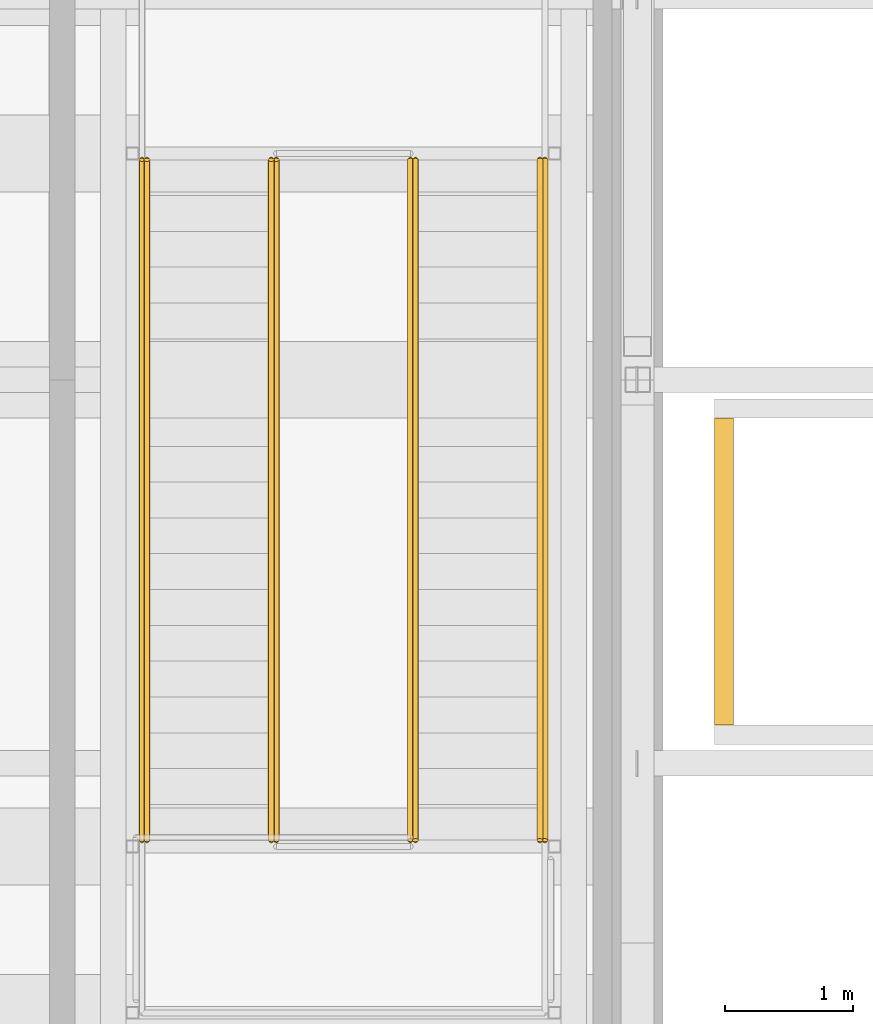
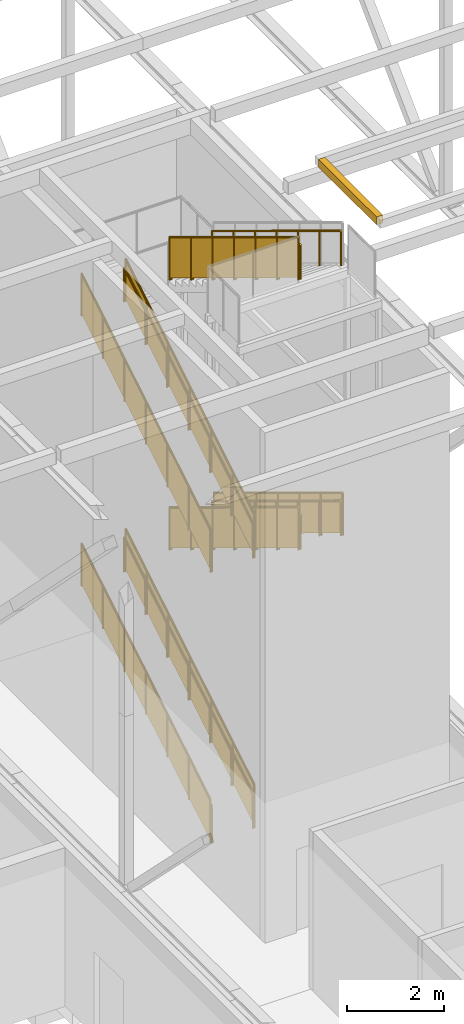
# One storey, part 631 of 646: 15 railings, 1 covering.
"""IFC4 building model written with IfcOpenShell, lengths in metres."""

import ifcopenshell
import ifcopenshell.guid

model = None  # the IFC model being written
_history = None  # IfcOwnerHistory: only IFC2X3 demands one
_inside = {}  # id of a spatial element -> (the spatial element, [elements in it])
_under = {}  # id of a project, library or spatial element -> (it, [spatial elements below it])
_declared = {}  # id of a project -> (the project, [libraries it declares])
_typed = {}  # id of a type object -> (the type object, [elements of that type])
_made_of = {}  # id of a material, layer set ... -> (it, [elements and type objects made of it])


def new_model(schema):
    """Start an empty IFC model of exactly this schema.

    Asked for "IFC4X3", IfcOpenShell would pick the latest addendum, in which some entities
    have other attributes; the version numbers below select the first issue.
    IFC2X3 requires an IfcOwnerHistory on every rooted entity: one is made here for all.
    """
    global model, _history
    if schema == "IFC4X3":
        model = ifcopenshell.file(schema_version=(4, 3, 0, 0))
    else:
        model = ifcopenshell.file(schema=schema)
    _inside.clear()
    _under.clear()
    _declared.clear()
    _typed.clear()
    _made_of.clear()
    _history = None
    if model.schema == "IFC2X3":
        org = make("IfcOrganization", Name="unknown")
        user = make(
            "IfcPersonAndOrganization",
            ThePerson=make("IfcPerson", FamilyName="unknown"),
            TheOrganization=org,
        )
        app = make(
            "IfcApplication",
            ApplicationDeveloper=org,
            Version="unknown",
            ApplicationFullName="unknown",
            ApplicationIdentifier="unknown",
        )
        _history = make(
            "IfcOwnerHistory",
            OwningUser=user,
            OwningApplication=app,
            ChangeAction="ADDED",
            CreationDate=0,
        )
    return model


def make(cls, **values):
    """One entity of the class cls with the attributes given. An attribute that is None is left unset."""
    return model.create_entity(
        cls, **{name: value for name, value in values.items() if value is not None}
    )


def rooted(cls, **values):
    """An entity with a GlobalId (a new one), such as an element, a storey or a relation."""
    return make(cls, GlobalId=ifcopenshell.guid.new(), OwnerHistory=_history, **values)


def si_unit(unit_type, name, prefix=None):
    """IfcSIUnit, for example si_unit("LENGTHUNIT", "METRE", prefix="MILLI")."""
    return make("IfcSIUnit", UnitType=unit_type, Prefix=prefix, Name=name)


def assignment(units):
    """IfcUnitAssignment: the units of a project."""
    return None if units is None else make("IfcUnitAssignment", Units=units)


def point(xyz):
    """IfcCartesianPoint."""
    return None if xyz is None else make("IfcCartesianPoint", Coordinates=xyz)


def direction(xyz):
    """IfcDirection."""
    return None if xyz is None else make("IfcDirection", DirectionRatios=xyz)


def frame(location, z_axis=None, x_axis=None):
    """IfcAxis2Placement3D, a coordinate frame: its origin and axes. An axis left out is left unset."""
    return make(
        "IfcAxis2Placement3D",
        Location=point(location),
        Axis=direction(z_axis),
        RefDirection=direction(x_axis),
    )


def frame_2d(location, x_axis=None):
    """IfcAxis2Placement2D, a coordinate frame in the plane: its origin and x axis."""
    return make(
        "IfcAxis2Placement2D", Location=point(location), RefDirection=direction(x_axis)
    )


def origin():
    """The frame at (0, 0, 0) with its axes left unset."""
    return frame((0.0, 0.0, 0.0))


def origin_2d():
    """The frame at (0, 0) in the plane with its x axis left unset."""
    return frame_2d((0.0, 0.0))


def place(relative_to, where):
    """IfcLocalPlacement: puts the frame where relative to a parent placement (None: the world)."""
    return make(
        "IfcLocalPlacement", PlacementRelTo=relative_to, RelativePlacement=where
    )


def context(
    kind, dimensions, precision=None, world=None, true_north=None, identifier=None
):
    """IfcGeometricRepresentationContext, for example the 3D "Model" context."""
    return make(
        "IfcGeometricRepresentationContext",
        ContextIdentifier=identifier,
        ContextType=kind,
        CoordinateSpaceDimension=dimensions,
        Precision=precision,
        WorldCoordinateSystem=world,
        TrueNorth=true_north,
    )


def subcontext(parent, identifier, kind, view, scale=None):
    """IfcGeometricRepresentationSubContext, for example "Body" below "Model"."""
    return make(
        "IfcGeometricRepresentationSubContext",
        ContextIdentifier=identifier,
        ContextType=kind,
        ParentContext=parent,
        TargetScale=scale,
        TargetView=view,
    )


def project(units=None, contexts=None):
    """IfcProject with its units and contexts."""
    return rooted(
        "IfcProject",
        Name="project",
        RepresentationContexts=contexts,
        UnitsInContext=assignment(units),
    )


def spatial(cls, under=None, at=None, **own):
    """A site, building, storey or space (cls), placed at a placement, below another one or the project."""
    s = rooted(cls, ObjectPlacement=at, **own)
    if under is not None:
        _under.setdefault(under.id(), (under, []))[1].append(s)
    return s


def polyline(points):
    """IfcPolyline through the points."""
    return make("IfcPolyline", Points=[point(p) for p in points])


def profile(cls, at=None, kind="AREA", **sizes):
    """A parametric profile (cls). Its sizes go by their IFC names, for example OverallWidth=200.0."""
    return make(cls, ProfileType=kind, Position=at, **sizes)


def circle(**sizes):
    """IfcCircleProfileDef."""
    return profile("IfcCircleProfileDef", **sizes)


def outline(outer, holes=None, kind="AREA"):
    """IfcArbitraryClosedProfileDef: a profile drawn as a closed curve; with holes, ...WithVoids."""
    if holes is None:
        return make("IfcArbitraryClosedProfileDef", ProfileType=kind, OuterCurve=outer)
    return make(
        "IfcArbitraryProfileDefWithVoids",
        ProfileType=kind,
        OuterCurve=outer,
        InnerCurves=holes,
    )


def extrude(swept, where, along, depth):
    """IfcExtrudedAreaSolid: the profile swept, set in the frame where, extruded along a direction by depth."""
    return make(
        "IfcExtrudedAreaSolid",
        SweptArea=swept,
        Position=where,
        ExtrudedDirection=direction(along),
        Depth=depth,
    )


def shape(context_of_items, identifier, shape_type, items):
    """IfcShapeRepresentation: the items that make up one representation, for example the "Body"."""
    return make(
        "IfcShapeRepresentation",
        ContextOfItems=context_of_items,
        RepresentationIdentifier=identifier,
        RepresentationType=shape_type,
        Items=items,
    )


def material(Name=None, Category=None):
    """IfcMaterial."""
    return make("IfcMaterial", Name=Name, Category=Category)


def layer(
    of_material, thickness, ventilated=None, Name=None, Category=None, Priority=None
):
    """IfcMaterialLayer: one layer of a wall or slab, of a material (None: an air gap)."""
    return make(
        "IfcMaterialLayer",
        Material=of_material,
        LayerThickness=thickness,
        IsVentilated=ventilated,
        Name=Name,
        Category=Category,
        Priority=Priority,
    )


def layer_set(layers, Name=None):
    """IfcMaterialLayerSet."""
    return make("IfcMaterialLayerSet", MaterialLayers=layers, LayerSetName=Name)


def made_of(thing, what):
    """Note that an element or type object is made of a material, layer set ...; save() writes the relation."""
    if what is not None:
        _made_of.setdefault(what.id(), (what, []))[1].append(thing)
    return thing


def type_object(cls, material=None, **own):
    """A type object (cls), such as IfcWallType, which elements share."""
    return made_of(rooted(cls, **own), material)


def element(
    cls,
    number,
    at=None,
    inside=None,
    cuts=None,
    type_object=None,
    material=None,
    context=None,
    identifier="Body",
    shape_type=None,
    held_by="IfcProductDefinitionShape",
    body=None,
    shapes=None,
    **own,
):
    """One element of the class cls, such as IfcWall. Its Tag is "e" and its number.

    at: its placement. inside: the storey or other place that contains it. cuts: it is an
    opening in that element (IfcRelVoidsElement). A single representation is given by context,
    identifier, shape_type and body (its items); several are given by shapes. held_by: the class
    of the entity that holds the representations. save() writes the other relations.
    """
    e = rooted(cls, Tag="e%d" % number, ObjectPlacement=at, **own)
    if body is not None:
        shapes = [shape(context, identifier, shape_type, body)]
    if shapes is not None:
        e.Representation = make(held_by, Representations=shapes)
    if inside is not None:
        _inside.setdefault(inside.id(), (inside, []))[1].append(e)
    if cuts is not None:
        rooted(
            "IfcRelVoidsElement", RelatingBuildingElement=cuts, RelatedOpeningElement=e
        )
    if type_object is not None:
        _typed.setdefault(type_object.id(), (type_object, []))[1].append(e)
    return made_of(e, material)


def aggregate(whole, parts):
    """IfcRelAggregates: a whole, such as a stair, and the parts it consists of."""
    return rooted("IfcRelAggregates", RelatingObject=whole, RelatedObjects=parts)


def save(model, path):
    """Write the relations noted so far, then the file.

    IfcRelAggregates (storeys below a building ...), IfcRelContainedInSpatialStructure (elements
    in a storey), IfcRelDefinesByType, IfcRelAssociatesMaterial and IfcRelDeclares: one each for
    every whole, place, type object, material and project.
    """
    for whole, parts in _under.values():
        aggregate(whole, parts)
    for where, things in _inside.values():
        rooted(
            "IfcRelContainedInSpatialStructure",
            RelatedElements=things,
            RelatingStructure=where,
        )
    for kind, things in _typed.values():
        rooted("IfcRelDefinesByType", RelatedObjects=things, RelatingType=kind)
    for what, things in _made_of.values():
        rooted("IfcRelAssociatesMaterial", RelatedObjects=things, RelatingMaterial=what)
    for by, libraries in _declared.values():
        rooted("IfcRelDeclares", RelatingContext=by, RelatedDefinitions=libraries)
    model.write(path)


model = new_model("IFC4")

# Units and contexts
model_context = context("Model", 3, precision=1e-05, world=origin(), true_north=direction((0.0, 1.0)))
body_context = subcontext(model_context, "Body", "Model", "MODEL_VIEW")
ifc_project = project(units=[si_unit("LENGTHUNIT", "METRE"), si_unit("AREAUNIT", "SQUARE_METRE"), si_unit("VOLUMEUNIT", "CUBIC_METRE"), si_unit("PLANEANGLEUNIT", "RADIAN"), si_unit("MASSUNIT", "GRAM", prefix="KILO")], contexts=[model_context])

# Site, building, storey
site_placement = place(None, origin())
site = spatial("IfcSite", under=ifc_project, at=site_placement, CompositionType="ELEMENT")
building_placement = place(site_placement, origin())
building = spatial("IfcBuilding", under=site, at=building_placement, Name="Silverbay Arena", CompositionType="ELEMENT")
storey_placement = place(building_placement, frame((0.0, 0.0, 33.5)))
storey = spatial("IfcBuildingStorey", under=building, at=storey_placement, Name="L05", CompositionType="ELEMENT", Elevation=33.5)

# Covering
ifc_material_1 = material(Name="Insulated metal curb")
ifc_layer = layer(ifc_material_1, 0.14990234375)
ifc_layer_set = layer_set([ifc_layer], Name="Insulated metal curb")
covering_type = type_object("IfcCoveringType", Name="Roof light curb 150", PredefinedType="CLADDING", material=ifc_layer_set)
covering_placement = place(storey_placement, frame((0.0, 0.0, 13.60009765625)))
element("IfcCovering", 1, at=covering_placement, inside=storey, type_object=covering_type, Name="ROOF LIGHT CURB 03 W", PredefinedType="CLADDING", context=body_context, shape_type="SweptSolid", body=[
    extrude(outline(polyline([(72.60009765625, 69.300048828125), (72.75, 69.300048828125), (72.75, 71.699951171875), (72.60009765625, 71.699951171875), (72.60009765625, 69.300048828125)])), origin(), (0.0, 0.0, 1.0), 0.199951171875),
])

# Railings
ifc_material_2 = material(Name="Stainless steel", Category="steel")
railing_type_1 = type_object("IfcRailingType", Name="Stair guard 1100", PredefinedType="GUARDRAIL", material=ifc_material_2)
railing_1_placement = place(storey_placement, frame((68.125, 68.39990234375, 0.169921875)))
element("IfcRailing", 2, at=railing_1_placement, inside=storey, type_object=railing_type_1, Name="Stair RA1 L05 to ROOF flight 1 guard left", PredefinedType="GUARDRAIL", context=body_context, shape_type="SweptSolid", body=[
    extrude(circle(Radius=0.02392578125, at=origin_2d()), frame((0.0, 0.0, 1.076171875), z_axis=(0.0, 0.854791865604, 0.518970968838), x_axis=(-1.0, 0.0, 0.0)), (0.0, 0.0, 1.0), 6.223876953125),
    extrude(outline(polyline([(-0.008056640625, 0.045166015625), (0.894775390625, 0.59326171875), (0.894775390625, 1.59619140625), (-0.008056640625, 1.048095703125), (-0.008056640625, 0.045166015625)])), frame((-0.0029296875, 0.0, 0.0), z_axis=(1.0, 0.0, 0.0), x_axis=(0.0, 1.0, 0.0)), (0.0, 0.0, 1.0), 0.006103515625),
    extrude(outline(polyline([(-0.008056640625, 0.58349609375), (0.894775390625, 1.131591796875), (0.894775390625, 2.134521484375), (-0.008056640625, 1.58642578125), (-0.008056640625, 0.58349609375)])), frame((-0.0029296875, 0.88671875, 0.0), z_axis=(1.0, 0.0, 0.0), x_axis=(0.0, 1.0, 0.0)), (0.0, 0.0, 1.0), 0.006103515625),
    extrude(outline(polyline([(-0.008056640625, 1.121826171875), (0.894775390625, 1.669921875), (0.894775390625, 2.6728515625), (-0.008056640625, 2.124755859375), (-0.008056640625, 1.121826171875)])), frame((-0.0029296875, 1.7734375, 0.0), z_axis=(1.0, 0.0, 0.0), x_axis=(0.0, 1.0, 0.0)), (0.0, 0.0, 1.0), 0.006103515625),
    extrude(outline(polyline([(-0.008056640625, 1.66015625), (0.894775390625, 2.208251953125), (0.894775390625, 3.211181640625), (-0.008056640625, 2.6630859375), (-0.008056640625, 1.66015625)])), frame((-0.0029296875, 2.66015625, 0.0), z_axis=(1.0, 0.0, 0.0), x_axis=(0.0, 1.0, 0.0)), (0.0, 0.0, 1.0), 0.006103515625),
    extrude(outline(polyline([(-0.008056640625, 2.198486328125), (0.894775390625, 2.74658203125), (0.894775390625, 3.74951171875), (-0.008056640625, 3.201416015625), (-0.008056640625, 2.198486328125)])), frame((-0.0029296875, 3.546630859375, 0.0), z_axis=(1.0, 0.0, 0.0), x_axis=(0.0, 1.0, 0.0)), (0.0, 0.0, 1.0), 0.006103515625),
    extrude(outline(polyline([(-0.008056640625, 2.73681640625), (0.894775390625, 3.284912109375), (0.894775390625, 4.287841796875), (-0.008056640625, 3.73974609375), (-0.008056640625, 2.73681640625)])), frame((-0.0029296875, 4.433349609375, 0.0), z_axis=(1.0, 0.0, 0.0), x_axis=(0.0, 1.0, 0.0)), (0.0, 0.0, 1.0), 0.006103515625),
    extrude(circle(Radius=0.02099609375, at=origin_2d()), origin(), (0.0, 0.0, 1.0), 1.052001953125),
    extrude(circle(Radius=0.02099609375, at=origin_2d()), frame((0.0, 0.88671875, 0.538330078125)), (0.0, 0.0, 1.0), 1.052001953125),
    extrude(circle(Radius=0.02099609375, at=origin_2d()), frame((0.0, 1.7734375, 1.07666015625)), (0.0, 0.0, 1.0), 1.052001953125),
    extrude(circle(Radius=0.02099609375, at=origin_2d()), frame((0.0, 2.66015625, 1.614990234375)), (0.0, 0.0, 1.0), 1.052001953125),
    extrude(circle(Radius=0.02099609375, at=origin_2d()), frame((0.0, 3.546630859375, 2.1533203125)), (0.0, 0.0, 1.0), 1.052001953125),
    extrude(circle(Radius=0.02099609375, at=origin_2d()), frame((0.0, 4.433349609375, 2.691650390625)), (0.0, 0.0, 1.0), 1.052001953125),
    extrude(circle(Radius=0.02099609375, at=origin_2d()), frame((0.0, 5.320068359375, 3.22998046875)), (0.0, 0.0, 1.0), 1.052001953125),
])
railing_2_placement = place(storey_placement, frame((69.175048828125, 68.39990234375, 0.169921875)))
element("IfcRailing", 3, at=railing_2_placement, inside=storey, type_object=railing_type_1, Name="Stair RA1 L05 to ROOF flight 1 guard right", PredefinedType="GUARDRAIL", context=body_context, shape_type="SweptSolid", body=[
    extrude(circle(Radius=0.02392578125, at=origin_2d()), frame((0.0, 0.0, 1.076171875), z_axis=(0.0, 0.854791865604, 0.518970968838), x_axis=(-1.0, 0.0, 0.0)), (0.0, 0.0, 1.0), 6.223876953125),
    extrude(outline(polyline([(-0.008056640625, 0.045166015625), (0.894775390625, 0.59326171875), (0.894775390625, 1.59619140625), (-0.008056640625, 1.048095703125), (-0.008056640625, 0.045166015625)])), frame((-0.0029296875, 0.0, 0.0), z_axis=(1.0, 0.0, 0.0), x_axis=(0.0, 1.0, 0.0)), (0.0, 0.0, 1.0), 0.006103515625),
    extrude(outline(polyline([(-0.008056640625, 0.58349609375), (0.894775390625, 1.131591796875), (0.894775390625, 2.134521484375), (-0.008056640625, 1.58642578125), (-0.008056640625, 0.58349609375)])), frame((-0.0029296875, 0.88671875, 0.0), z_axis=(1.0, 0.0, 0.0), x_axis=(0.0, 1.0, 0.0)), (0.0, 0.0, 1.0), 0.006103515625),
    extrude(outline(polyline([(-0.008056640625, 1.121826171875), (0.894775390625, 1.669921875), (0.894775390625, 2.6728515625), (-0.008056640625, 2.124755859375), (-0.008056640625, 1.121826171875)])), frame((-0.0029296875, 1.7734375, 0.0), z_axis=(1.0, 0.0, 0.0), x_axis=(0.0, 1.0, 0.0)), (0.0, 0.0, 1.0), 0.006103515625),
    extrude(outline(polyline([(-0.008056640625, 1.66015625), (0.894775390625, 2.208251953125), (0.894775390625, 3.211181640625), (-0.008056640625, 2.6630859375), (-0.008056640625, 1.66015625)])), frame((-0.0029296875, 2.66015625, 0.0), z_axis=(1.0, 0.0, 0.0), x_axis=(0.0, 1.0, 0.0)), (0.0, 0.0, 1.0), 0.006103515625),
    extrude(outline(polyline([(-0.008056640625, 2.198486328125), (0.894775390625, 2.74658203125), (0.894775390625, 3.74951171875), (-0.008056640625, 3.201416015625), (-0.008056640625, 2.198486328125)])), frame((-0.0029296875, 3.546630859375, 0.0), z_axis=(1.0, 0.0, 0.0), x_axis=(0.0, 1.0, 0.0)), (0.0, 0.0, 1.0), 0.006103515625),
    extrude(outline(polyline([(-0.008056640625, 2.73681640625), (0.894775390625, 3.284912109375), (0.894775390625, 4.287841796875), (-0.008056640625, 3.73974609375), (-0.008056640625, 2.73681640625)])), frame((-0.0029296875, 4.433349609375, 0.0), z_axis=(1.0, 0.0, 0.0), x_axis=(0.0, 1.0, 0.0)), (0.0, 0.0, 1.0), 0.006103515625),
    extrude(circle(Radius=0.02099609375, at=origin_2d()), origin(), (0.0, 0.0, 1.0), 1.052001953125),
    extrude(circle(Radius=0.02099609375, at=origin_2d()), frame((0.0, 0.88671875, 0.538330078125)), (0.0, 0.0, 1.0), 1.052001953125),
    extrude(circle(Radius=0.02099609375, at=origin_2d()), frame((0.0, 1.7734375, 1.07666015625)), (0.0, 0.0, 1.0), 1.052001953125),
    extrude(circle(Radius=0.02099609375, at=origin_2d()), frame((0.0, 2.66015625, 1.614990234375)), (0.0, 0.0, 1.0), 1.052001953125),
    extrude(circle(Radius=0.02099609375, at=origin_2d()), frame((0.0, 3.546630859375, 2.1533203125)), (0.0, 0.0, 1.0), 1.052001953125),
    extrude(circle(Radius=0.02099609375, at=origin_2d()), frame((0.0, 4.433349609375, 2.691650390625)), (0.0, 0.0, 1.0), 1.052001953125),
    extrude(circle(Radius=0.02099609375, at=origin_2d()), frame((0.0, 5.320068359375, 3.22998046875)), (0.0, 0.0, 1.0), 1.052001953125),
])
railing_3_placement = place(storey_placement, frame((70.22509765625, 73.719970703125, 3.570068359375)))
element("IfcRailing", 4, at=railing_3_placement, inside=storey, type_object=railing_type_1, Name="Stair RA1 L05 to ROOF flight 2 guard left", PredefinedType="GUARDRAIL", context=body_context, shape_type="SweptSolid", body=[
    extrude(circle(Radius=0.02392578125, at=origin_2d()), frame((0.0, 0.0, 1.076171875), z_axis=(0.0, -0.854791865604, 0.518970968838), x_axis=(1.0, 0.0, 0.0)), (0.0, 0.0, 1.0), 6.223876953125),
    extrude(outline(polyline([(-0.008056640625, 0.045166015625), (0.894775390625, 0.59326171875), (0.894775390625, 1.59619140625), (-0.008056640625, 1.048095703125), (-0.008056640625, 0.045166015625)])), frame((0.0029296875, 0.0, 0.0), z_axis=(-1.0, 0.0, 0.0), x_axis=(0.0, -1.0, 0.0)), (0.0, 0.0, 1.0), 0.006103515625),
    extrude(outline(polyline([(-0.008056640625, 0.58349609375), (0.894775390625, 1.131591796875), (0.894775390625, 2.134521484375), (-0.008056640625, 1.58642578125), (-0.008056640625, 0.58349609375)])), frame((0.0029296875, -0.88671875, 0.0), z_axis=(-1.0, 0.0, 0.0), x_axis=(0.0, -1.0, 0.0)), (0.0, 0.0, 1.0), 0.006103515625),
    extrude(outline(polyline([(-0.008056640625, 1.121826171875), (0.894775390625, 1.669921875), (0.894775390625, 2.6728515625), (-0.008056640625, 2.124755859375), (-0.008056640625, 1.121826171875)])), frame((0.0029296875, -1.7734375, 0.0), z_axis=(-1.0, 0.0, 0.0), x_axis=(0.0, -1.0, 0.0)), (0.0, 0.0, 1.0), 0.006103515625),
    extrude(outline(polyline([(-0.008056640625, 1.66015625), (0.894775390625, 2.208251953125), (0.894775390625, 3.211181640625), (-0.008056640625, 2.6630859375), (-0.008056640625, 1.66015625)])), frame((0.0029296875, -2.66015625, 0.0), z_axis=(-1.0, 0.0, 0.0), x_axis=(0.0, -1.0, 0.0)), (0.0, 0.0, 1.0), 0.006103515625),
    extrude(outline(polyline([(-0.008056640625, 2.198486328125), (0.894775390625, 2.74658203125), (0.894775390625, 3.74951171875), (-0.008056640625, 3.201416015625), (-0.008056640625, 2.198486328125)])), frame((0.0029296875, -3.546630859375, 0.0), z_axis=(-1.0, 0.0, 0.0), x_axis=(0.0, -1.0, 0.0)), (0.0, 0.0, 1.0), 0.006103515625),
    extrude(outline(polyline([(-0.008056640625, 2.73681640625), (0.894775390625, 3.284912109375), (0.894775390625, 4.287841796875), (-0.008056640625, 3.73974609375), (-0.008056640625, 2.73681640625)])), frame((0.0029296875, -4.433349609375, 0.0), z_axis=(-1.0, 0.0, 0.0), x_axis=(0.0, -1.0, 0.0)), (0.0, 0.0, 1.0), 0.006103515625),
    extrude(circle(Radius=0.02099609375, at=origin_2d()), origin(), (0.0, 0.0, 1.0), 1.052001953125),
    extrude(circle(Radius=0.02099609375, at=origin_2d()), frame((0.0, -0.88671875, 0.538330078125)), (0.0, 0.0, 1.0), 1.052001953125),
    extrude(circle(Radius=0.02099609375, at=origin_2d()), frame((0.0, -1.7734375, 1.07666015625)), (0.0, 0.0, 1.0), 1.052001953125),
    extrude(circle(Radius=0.02099609375, at=origin_2d()), frame((0.0, -2.66015625, 1.614990234375)), (0.0, 0.0, 1.0), 1.052001953125),
    extrude(circle(Radius=0.02099609375, at=origin_2d()), frame((0.0, -3.546630859375, 2.1533203125)), (0.0, 0.0, 1.0), 1.052001953125),
    extrude(circle(Radius=0.02099609375, at=origin_2d()), frame((0.0, -4.433349609375, 2.691650390625)), (0.0, 0.0, 1.0), 1.052001953125),
    extrude(circle(Radius=0.02099609375, at=origin_2d()), frame((0.0, -5.320068359375, 3.22998046875)), (0.0, 0.0, 1.0), 1.052001953125),
])
railing_4_placement = place(storey_placement, frame((71.27490234375, 73.719970703125, 3.570068359375)))
element("IfcRailing", 5, at=railing_4_placement, inside=storey, type_object=railing_type_1, Name="Stair RA1 L05 to ROOF flight 2 guard right", PredefinedType="GUARDRAIL", context=body_context, shape_type="SweptSolid", body=[
    extrude(circle(Radius=0.02392578125, at=origin_2d()), frame((0.0, 0.0, 1.076171875), z_axis=(0.0, -0.854791865604, 0.518970968838), x_axis=(1.0, 0.0, 0.0)), (0.0, 0.0, 1.0), 6.223876953125),
    extrude(outline(polyline([(-0.008056640625, 0.045166015625), (0.894775390625, 0.59326171875), (0.894775390625, 1.59619140625), (-0.008056640625, 1.048095703125), (-0.008056640625, 0.045166015625)])), frame((0.0029296875, 0.0, 0.0), z_axis=(-1.0, 0.0, 0.0), x_axis=(0.0, -1.0, 0.0)), (0.0, 0.0, 1.0), 0.006103515625),
    extrude(outline(polyline([(-0.008056640625, 0.58349609375), (0.894775390625, 1.131591796875), (0.894775390625, 2.134521484375), (-0.008056640625, 1.58642578125), (-0.008056640625, 0.58349609375)])), frame((0.0029296875, -0.88671875, 0.0), z_axis=(-1.0, 0.0, 0.0), x_axis=(0.0, -1.0, 0.0)), (0.0, 0.0, 1.0), 0.006103515625),
    extrude(outline(polyline([(-0.008056640625, 1.121826171875), (0.894775390625, 1.669921875), (0.894775390625, 2.6728515625), (-0.008056640625, 2.124755859375), (-0.008056640625, 1.121826171875)])), frame((0.0029296875, -1.7734375, 0.0), z_axis=(-1.0, 0.0, 0.0), x_axis=(0.0, -1.0, 0.0)), (0.0, 0.0, 1.0), 0.006103515625),
    extrude(outline(polyline([(-0.008056640625, 1.66015625), (0.894775390625, 2.208251953125), (0.894775390625, 3.211181640625), (-0.008056640625, 2.6630859375), (-0.008056640625, 1.66015625)])), frame((0.0029296875, -2.66015625, 0.0), z_axis=(-1.0, 0.0, 0.0), x_axis=(0.0, -1.0, 0.0)), (0.0, 0.0, 1.0), 0.006103515625),
    extrude(outline(polyline([(-0.008056640625, 2.198486328125), (0.894775390625, 2.74658203125), (0.894775390625, 3.74951171875), (-0.008056640625, 3.201416015625), (-0.008056640625, 2.198486328125)])), frame((0.0029296875, -3.546630859375, 0.0), z_axis=(-1.0, 0.0, 0.0), x_axis=(0.0, -1.0, 0.0)), (0.0, 0.0, 1.0), 0.006103515625),
    extrude(outline(polyline([(-0.008056640625, 2.73681640625), (0.894775390625, 3.284912109375), (0.894775390625, 4.287841796875), (-0.008056640625, 3.73974609375), (-0.008056640625, 2.73681640625)])), frame((0.0029296875, -4.433349609375, 0.0), z_axis=(-1.0, 0.0, 0.0), x_axis=(0.0, -1.0, 0.0)), (0.0, 0.0, 1.0), 0.006103515625),
    extrude(circle(Radius=0.02099609375, at=origin_2d()), origin(), (0.0, 0.0, 1.0), 1.052001953125),
    extrude(circle(Radius=0.02099609375, at=origin_2d()), frame((0.0, -0.88671875, 0.538330078125)), (0.0, 0.0, 1.0), 1.052001953125),
    extrude(circle(Radius=0.02099609375, at=origin_2d()), frame((0.0, -1.7734375, 1.07666015625)), (0.0, 0.0, 1.0), 1.052001953125),
    extrude(circle(Radius=0.02099609375, at=origin_2d()), frame((0.0, -2.66015625, 1.614990234375)), (0.0, 0.0, 1.0), 1.052001953125),
    extrude(circle(Radius=0.02099609375, at=origin_2d()), frame((0.0, -3.546630859375, 2.1533203125)), (0.0, 0.0, 1.0), 1.052001953125),
    extrude(circle(Radius=0.02099609375, at=origin_2d()), frame((0.0, -4.433349609375, 2.691650390625)), (0.0, 0.0, 1.0), 1.052001953125),
    extrude(circle(Radius=0.02099609375, at=origin_2d()), frame((0.0, -5.320068359375, 3.22998046875)), (0.0, 0.0, 1.0), 1.052001953125),
])
railing_5_placement = place(storey_placement, frame((68.125, 68.39990234375, 6.969970703125)))
element("IfcRailing", 6, at=railing_5_placement, inside=storey, type_object=railing_type_1, Name="Stair RA1 L05 to ROOF flight 3 guard left", PredefinedType="GUARDRAIL", context=body_context, shape_type="SweptSolid", body=[
    extrude(circle(Radius=0.02392578125, at=origin_2d()), frame((0.0, 0.0, 1.076171875), z_axis=(0.0, 0.854791865604, 0.518970968838), x_axis=(-1.0, 0.0, 0.0)), (0.0, 0.0, 1.0), 6.223876953125),
    extrude(outline(polyline([(-0.008056640625, 0.045166015625), (0.894775390625, 0.59326171875), (0.894775390625, 1.59619140625), (-0.008056640625, 1.048095703125), (-0.008056640625, 0.045166015625)])), frame((-0.0029296875, 0.0, 0.0), z_axis=(1.0, 0.0, 0.0), x_axis=(0.0, 1.0, 0.0)), (0.0, 0.0, 1.0), 0.006103515625),
    extrude(outline(polyline([(-0.008056640625, 0.58349609375), (0.894775390625, 1.131591796875), (0.894775390625, 2.134521484375), (-0.008056640625, 1.58642578125), (-0.008056640625, 0.58349609375)])), frame((-0.0029296875, 0.88671875, 0.0), z_axis=(1.0, 0.0, 0.0), x_axis=(0.0, 1.0, 0.0)), (0.0, 0.0, 1.0), 0.006103515625),
    extrude(outline(polyline([(-0.008056640625, 1.121826171875), (0.894775390625, 1.669921875), (0.894775390625, 2.6728515625), (-0.008056640625, 2.124755859375), (-0.008056640625, 1.121826171875)])), frame((-0.0029296875, 1.7734375, 0.0), z_axis=(1.0, 0.0, 0.0), x_axis=(0.0, 1.0, 0.0)), (0.0, 0.0, 1.0), 0.006103515625),
    extrude(outline(polyline([(-0.008056640625, 1.66015625), (0.894775390625, 2.208251953125), (0.894775390625, 3.211181640625), (-0.008056640625, 2.6630859375), (-0.008056640625, 1.66015625)])), frame((-0.0029296875, 2.66015625, 0.0), z_axis=(1.0, 0.0, 0.0), x_axis=(0.0, 1.0, 0.0)), (0.0, 0.0, 1.0), 0.006103515625),
    extrude(outline(polyline([(-0.008056640625, 2.198486328125), (0.894775390625, 2.74658203125), (0.894775390625, 3.74951171875), (-0.008056640625, 3.201416015625), (-0.008056640625, 2.198486328125)])), frame((-0.0029296875, 3.546630859375, 0.0), z_axis=(1.0, 0.0, 0.0), x_axis=(0.0, 1.0, 0.0)), (0.0, 0.0, 1.0), 0.006103515625),
    extrude(outline(polyline([(-0.008056640625, 2.73681640625), (0.894775390625, 3.284912109375), (0.894775390625, 4.287841796875), (-0.008056640625, 3.73974609375), (-0.008056640625, 2.73681640625)])), frame((-0.0029296875, 4.433349609375, 0.0), z_axis=(1.0, 0.0, 0.0), x_axis=(0.0, 1.0, 0.0)), (0.0, 0.0, 1.0), 0.006103515625),
    extrude(circle(Radius=0.02099609375, at=origin_2d()), origin(), (0.0, 0.0, 1.0), 1.052001953125),
    extrude(circle(Radius=0.02099609375, at=origin_2d()), frame((0.0, 0.88671875, 0.538330078125)), (0.0, 0.0, 1.0), 1.052001953125),
    extrude(circle(Radius=0.02099609375, at=origin_2d()), frame((0.0, 1.7734375, 1.07666015625)), (0.0, 0.0, 1.0), 1.052001953125),
    extrude(circle(Radius=0.02099609375, at=origin_2d()), frame((0.0, 2.66015625, 1.614990234375)), (0.0, 0.0, 1.0), 1.052001953125),
    extrude(circle(Radius=0.02099609375, at=origin_2d()), frame((0.0, 3.546630859375, 2.1533203125)), (0.0, 0.0, 1.0), 1.052001953125),
    extrude(circle(Radius=0.02099609375, at=origin_2d()), frame((0.0, 4.433349609375, 2.691650390625)), (0.0, 0.0, 1.0), 1.052001953125),
    extrude(circle(Radius=0.02099609375, at=origin_2d()), frame((0.0, 5.320068359375, 3.22998046875)), (0.0, 0.0, 1.0), 1.052001953125),
])
railing_6_placement = place(storey_placement, frame((69.175048828125, 68.39990234375, 6.969970703125)))
element("IfcRailing", 7, at=railing_6_placement, inside=storey, type_object=railing_type_1, Name="Stair RA1 L05 to ROOF flight 3 guard right", PredefinedType="GUARDRAIL", context=body_context, shape_type="SweptSolid", body=[
    extrude(circle(Radius=0.02392578125, at=origin_2d()), frame((0.0, 0.0, 1.076171875), z_axis=(0.0, 0.854791865604, 0.518970968838), x_axis=(-1.0, 0.0, 0.0)), (0.0, 0.0, 1.0), 6.223876953125),
    extrude(outline(polyline([(-0.008056640625, 0.045166015625), (0.894775390625, 0.59326171875), (0.894775390625, 1.59619140625), (-0.008056640625, 1.048095703125), (-0.008056640625, 0.045166015625)])), frame((-0.0029296875, 0.0, 0.0), z_axis=(1.0, 0.0, 0.0), x_axis=(0.0, 1.0, 0.0)), (0.0, 0.0, 1.0), 0.006103515625),
    extrude(outline(polyline([(-0.008056640625, 0.58349609375), (0.894775390625, 1.131591796875), (0.894775390625, 2.134521484375), (-0.008056640625, 1.58642578125), (-0.008056640625, 0.58349609375)])), frame((-0.0029296875, 0.88671875, 0.0), z_axis=(1.0, 0.0, 0.0), x_axis=(0.0, 1.0, 0.0)), (0.0, 0.0, 1.0), 0.006103515625),
    extrude(outline(polyline([(-0.008056640625, 1.121826171875), (0.894775390625, 1.669921875), (0.894775390625, 2.6728515625), (-0.008056640625, 2.124755859375), (-0.008056640625, 1.121826171875)])), frame((-0.0029296875, 1.7734375, 0.0), z_axis=(1.0, 0.0, 0.0), x_axis=(0.0, 1.0, 0.0)), (0.0, 0.0, 1.0), 0.006103515625),
    extrude(outline(polyline([(-0.008056640625, 1.66015625), (0.894775390625, 2.208251953125), (0.894775390625, 3.211181640625), (-0.008056640625, 2.6630859375), (-0.008056640625, 1.66015625)])), frame((-0.0029296875, 2.66015625, 0.0), z_axis=(1.0, 0.0, 0.0), x_axis=(0.0, 1.0, 0.0)), (0.0, 0.0, 1.0), 0.006103515625),
    extrude(outline(polyline([(-0.008056640625, 2.198486328125), (0.894775390625, 2.74658203125), (0.894775390625, 3.74951171875), (-0.008056640625, 3.201416015625), (-0.008056640625, 2.198486328125)])), frame((-0.0029296875, 3.546630859375, 0.0), z_axis=(1.0, 0.0, 0.0), x_axis=(0.0, 1.0, 0.0)), (0.0, 0.0, 1.0), 0.006103515625),
    extrude(outline(polyline([(-0.008056640625, 2.73681640625), (0.894775390625, 3.284912109375), (0.894775390625, 4.287841796875), (-0.008056640625, 3.73974609375), (-0.008056640625, 2.73681640625)])), frame((-0.0029296875, 4.433349609375, 0.0), z_axis=(1.0, 0.0, 0.0), x_axis=(0.0, 1.0, 0.0)), (0.0, 0.0, 1.0), 0.006103515625),
    extrude(circle(Radius=0.02099609375, at=origin_2d()), origin(), (0.0, 0.0, 1.0), 1.052001953125),
    extrude(circle(Radius=0.02099609375, at=origin_2d()), frame((0.0, 0.88671875, 0.538330078125)), (0.0, 0.0, 1.0), 1.052001953125),
    extrude(circle(Radius=0.02099609375, at=origin_2d()), frame((0.0, 1.7734375, 1.07666015625)), (0.0, 0.0, 1.0), 1.052001953125),
    extrude(circle(Radius=0.02099609375, at=origin_2d()), frame((0.0, 2.66015625, 1.614990234375)), (0.0, 0.0, 1.0), 1.052001953125),
    extrude(circle(Radius=0.02099609375, at=origin_2d()), frame((0.0, 3.546630859375, 2.1533203125)), (0.0, 0.0, 1.0), 1.052001953125),
    extrude(circle(Radius=0.02099609375, at=origin_2d()), frame((0.0, 4.433349609375, 2.691650390625)), (0.0, 0.0, 1.0), 1.052001953125),
    extrude(circle(Radius=0.02099609375, at=origin_2d()), frame((0.0, 5.320068359375, 3.22998046875)), (0.0, 0.0, 1.0), 1.052001953125),
])
railing_7_placement = place(storey_placement, frame((70.22509765625, 73.719970703125, 10.3701171875)))
element("IfcRailing", 8, at=railing_7_placement, inside=storey, type_object=railing_type_1, Name="Stair RA1 L05 to ROOF flight 4 guard left", PredefinedType="GUARDRAIL", context=body_context, shape_type="SweptSolid", body=[
    extrude(circle(Radius=0.02392578125, at=origin_2d()), frame((0.0, 0.0, 1.076171875), z_axis=(0.0, -0.854791865604, 0.518970968838), x_axis=(1.0, 0.0, 0.0)), (0.0, 0.0, 1.0), 6.223876953125),
    extrude(outline(polyline([(-0.008056640625, 0.045166015625), (0.894775390625, 0.59326171875), (0.894775390625, 1.59619140625), (-0.008056640625, 1.048095703125), (-0.008056640625, 0.045166015625)])), frame((0.0029296875, 0.0, 0.0), z_axis=(-1.0, 0.0, 0.0), x_axis=(0.0, -1.0, 0.0)), (0.0, 0.0, 1.0), 0.006103515625),
    extrude(outline(polyline([(-0.008056640625, 0.58349609375), (0.894775390625, 1.131591796875), (0.894775390625, 2.134521484375), (-0.008056640625, 1.58642578125), (-0.008056640625, 0.58349609375)])), frame((0.0029296875, -0.88671875, 0.0), z_axis=(-1.0, 0.0, 0.0), x_axis=(0.0, -1.0, 0.0)), (0.0, 0.0, 1.0), 0.006103515625),
    extrude(outline(polyline([(-0.008056640625, 1.121826171875), (0.894775390625, 1.669921875), (0.894775390625, 2.6728515625), (-0.008056640625, 2.124755859375), (-0.008056640625, 1.121826171875)])), frame((0.0029296875, -1.7734375, 0.0), z_axis=(-1.0, 0.0, 0.0), x_axis=(0.0, -1.0, 0.0)), (0.0, 0.0, 1.0), 0.006103515625),
    extrude(outline(polyline([(-0.008056640625, 1.66015625), (0.894775390625, 2.208251953125), (0.894775390625, 3.211181640625), (-0.008056640625, 2.6630859375), (-0.008056640625, 1.66015625)])), frame((0.0029296875, -2.66015625, 0.0), z_axis=(-1.0, 0.0, 0.0), x_axis=(0.0, -1.0, 0.0)), (0.0, 0.0, 1.0), 0.006103515625),
    extrude(outline(polyline([(-0.008056640625, 2.198486328125), (0.894775390625, 2.74658203125), (0.894775390625, 3.74951171875), (-0.008056640625, 3.201416015625), (-0.008056640625, 2.198486328125)])), frame((0.0029296875, -3.546630859375, 0.0), z_axis=(-1.0, 0.0, 0.0), x_axis=(0.0, -1.0, 0.0)), (0.0, 0.0, 1.0), 0.006103515625),
    extrude(outline(polyline([(-0.008056640625, 2.73681640625), (0.894775390625, 3.284912109375), (0.894775390625, 4.287841796875), (-0.008056640625, 3.73974609375), (-0.008056640625, 2.73681640625)])), frame((0.0029296875, -4.433349609375, 0.0), z_axis=(-1.0, 0.0, 0.0), x_axis=(0.0, -1.0, 0.0)), (0.0, 0.0, 1.0), 0.006103515625),
    extrude(circle(Radius=0.02099609375, at=origin_2d()), origin(), (0.0, 0.0, 1.0), 1.052001953125),
    extrude(circle(Radius=0.02099609375, at=origin_2d()), frame((0.0, -0.88671875, 0.538330078125)), (0.0, 0.0, 1.0), 1.052001953125),
    extrude(circle(Radius=0.02099609375, at=origin_2d()), frame((0.0, -1.7734375, 1.07666015625)), (0.0, 0.0, 1.0), 1.052001953125),
    extrude(circle(Radius=0.02099609375, at=origin_2d()), frame((0.0, -2.66015625, 1.614990234375)), (0.0, 0.0, 1.0), 1.052001953125),
    extrude(circle(Radius=0.02099609375, at=origin_2d()), frame((0.0, -3.546630859375, 2.1533203125)), (0.0, 0.0, 1.0), 1.052001953125),
    extrude(circle(Radius=0.02099609375, at=origin_2d()), frame((0.0, -4.433349609375, 2.691650390625)), (0.0, 0.0, 1.0), 1.052001953125),
    extrude(circle(Radius=0.02099609375, at=origin_2d()), frame((0.0, -5.320068359375, 3.22998046875)), (0.0, 0.0, 1.0), 1.052001953125),
])
ifc_material_3 = material(Name="Stainless steel", Category="steel")
railing_type_2 = type_object("IfcRailingType", Name="Stair handrail 900", PredefinedType="HANDRAIL", material=ifc_material_3)
for number, where, name in (
    (9, (68.1640625, 68.39990234375, 0.169921875), "Stair RA1 L05 to ROOF flight 1 handrail left"),
    (10, (69.135986328125, 68.39990234375, 0.169921875), "Stair RA1 L05 to ROOF flight 1 handrail right"),
):
    element("IfcRailing", number, at=place(storey_placement, frame(where)), inside=storey, type_object=railing_type_2, Name=name, PredefinedType="HANDRAIL", context=body_context, shape_type="SweptSolid", body=[
        extrude(circle(Radius=0.02392578125, at=origin_2d()), frame((0.0, 0.0, 0.8759765625), z_axis=(0.0, 0.854791865604, 0.518970968838), x_axis=(-1.0, 0.0, 0.0)), (0.0, 0.0, 1.0), 6.223876953125),
        extrude(circle(Radius=0.02099609375, at=origin_2d()), origin(), (0.0, 0.0, 1.0), 0.851806640625),
        extrude(circle(Radius=0.02099609375, at=origin_2d()), frame((0.0, 0.88671875, 0.538330078125)), (0.0, 0.0, 1.0), 0.851806640625),
        extrude(circle(Radius=0.02099609375, at=origin_2d()), frame((0.0, 1.7734375, 1.07666015625)), (0.0, 0.0, 1.0), 0.851806640625),
        extrude(circle(Radius=0.02099609375, at=origin_2d()), frame((0.0, 2.66015625, 1.614990234375)), (0.0, 0.0, 1.0), 0.851806640625),
        extrude(circle(Radius=0.02099609375, at=origin_2d()), frame((0.0, 3.546630859375, 2.1533203125)), (0.0, 0.0, 1.0), 0.851806640625),
        extrude(circle(Radius=0.02099609375, at=origin_2d()), frame((0.0, 4.433349609375, 2.691650390625)), (0.0, 0.0, 1.0), 0.851806640625),
        extrude(circle(Radius=0.02099609375, at=origin_2d()), frame((0.0, 5.320068359375, 3.22998046875)), (0.0, 0.0, 1.0), 0.851806640625),
    ])
for number, where, name in (
    (11, (70.263916015625, 73.719970703125, 3.570068359375), "Stair RA1 L05 to ROOF flight 2 handrail left"),
    (12, (71.236083984375, 73.719970703125, 3.570068359375), "Stair RA1 L05 to ROOF flight 2 handrail right"),
):
    element("IfcRailing", number, at=place(storey_placement, frame(where)), inside=storey, type_object=railing_type_2, Name=name, PredefinedType="HANDRAIL", context=body_context, shape_type="SweptSolid", body=[
        extrude(circle(Radius=0.02392578125, at=origin_2d()), frame((0.0, 0.0, 0.8759765625), z_axis=(0.0, -0.854791865604, 0.518970968838), x_axis=(1.0, 0.0, 0.0)), (0.0, 0.0, 1.0), 6.223876953125),
        extrude(circle(Radius=0.02099609375, at=origin_2d()), origin(), (0.0, 0.0, 1.0), 0.851806640625),
        extrude(circle(Radius=0.02099609375, at=origin_2d()), frame((0.0, -0.88671875, 0.538330078125)), (0.0, 0.0, 1.0), 0.851806640625),
        extrude(circle(Radius=0.02099609375, at=origin_2d()), frame((0.0, -1.7734375, 1.07666015625)), (0.0, 0.0, 1.0), 0.851806640625),
        extrude(circle(Radius=0.02099609375, at=origin_2d()), frame((0.0, -2.66015625, 1.614990234375)), (0.0, 0.0, 1.0), 0.851806640625),
        extrude(circle(Radius=0.02099609375, at=origin_2d()), frame((0.0, -3.546630859375, 2.1533203125)), (0.0, 0.0, 1.0), 0.851806640625),
        extrude(circle(Radius=0.02099609375, at=origin_2d()), frame((0.0, -4.433349609375, 2.691650390625)), (0.0, 0.0, 1.0), 0.851806640625),
        extrude(circle(Radius=0.02099609375, at=origin_2d()), frame((0.0, -5.320068359375, 3.22998046875)), (0.0, 0.0, 1.0), 0.851806640625),
    ])
for number, where, name in (
    (13, (68.1640625, 68.39990234375, 6.969970703125), "Stair RA1 L05 to ROOF flight 3 handrail left"),
    (14, (69.135986328125, 68.39990234375, 6.969970703125), "Stair RA1 L05 to ROOF flight 3 handrail right"),
):
    element("IfcRailing", number, at=place(storey_placement, frame(where)), inside=storey, type_object=railing_type_2, Name=name, PredefinedType="HANDRAIL", context=body_context, shape_type="SweptSolid", body=[
        extrude(circle(Radius=0.02392578125, at=origin_2d()), frame((0.0, 0.0, 0.8759765625), z_axis=(0.0, 0.854791865604, 0.518970968838), x_axis=(-1.0, 0.0, 0.0)), (0.0, 0.0, 1.0), 6.223876953125),
        extrude(circle(Radius=0.02099609375, at=origin_2d()), origin(), (0.0, 0.0, 1.0), 0.851806640625),
        extrude(circle(Radius=0.02099609375, at=origin_2d()), frame((0.0, 0.88671875, 0.538330078125)), (0.0, 0.0, 1.0), 0.851806640625),
        extrude(circle(Radius=0.02099609375, at=origin_2d()), frame((0.0, 1.7734375, 1.07666015625)), (0.0, 0.0, 1.0), 0.851806640625),
        extrude(circle(Radius=0.02099609375, at=origin_2d()), frame((0.0, 2.66015625, 1.614990234375)), (0.0, 0.0, 1.0), 0.851806640625),
        extrude(circle(Radius=0.02099609375, at=origin_2d()), frame((0.0, 3.546630859375, 2.1533203125)), (0.0, 0.0, 1.0), 0.851806640625),
        extrude(circle(Radius=0.02099609375, at=origin_2d()), frame((0.0, 4.433349609375, 2.691650390625)), (0.0, 0.0, 1.0), 0.851806640625),
        extrude(circle(Radius=0.02099609375, at=origin_2d()), frame((0.0, 5.320068359375, 3.22998046875)), (0.0, 0.0, 1.0), 0.851806640625),
    ])
for number, where, name in (
    (15, (70.263916015625, 73.719970703125, 10.3701171875), "Stair RA1 L05 to ROOF flight 4 handrail left"),
    (16, (71.236083984375, 73.719970703125, 10.3701171875), "Stair RA1 L05 to ROOF flight 4 handrail right"),
):
    element("IfcRailing", number, at=place(storey_placement, frame(where)), inside=storey, type_object=railing_type_2, Name=name, PredefinedType="HANDRAIL", context=body_context, shape_type="SweptSolid", body=[
        extrude(circle(Radius=0.02392578125, at=origin_2d()), frame((0.0, 0.0, 0.8759765625), z_axis=(0.0, -0.854791865604, 0.518970968838), x_axis=(1.0, 0.0, 0.0)), (0.0, 0.0, 1.0), 6.223876953125),
        extrude(circle(Radius=0.02099609375, at=origin_2d()), origin(), (0.0, 0.0, 1.0), 0.851806640625),
        extrude(circle(Radius=0.02099609375, at=origin_2d()), frame((0.0, -0.88671875, 0.538330078125)), (0.0, 0.0, 1.0), 0.851806640625),
        extrude(circle(Radius=0.02099609375, at=origin_2d()), frame((0.0, -1.7734375, 1.07666015625)), (0.0, 0.0, 1.0), 0.851806640625),
        extrude(circle(Radius=0.02099609375, at=origin_2d()), frame((0.0, -2.66015625, 1.614990234375)), (0.0, 0.0, 1.0), 0.851806640625),
        extrude(circle(Radius=0.02099609375, at=origin_2d()), frame((0.0, -3.546630859375, 2.1533203125)), (0.0, 0.0, 1.0), 0.851806640625),
        extrude(circle(Radius=0.02099609375, at=origin_2d()), frame((0.0, -4.433349609375, 2.691650390625)), (0.0, 0.0, 1.0), 0.851806640625),
        extrude(circle(Radius=0.02099609375, at=origin_2d()), frame((0.0, -5.320068359375, 3.22998046875)), (0.0, 0.0, 1.0), 0.851806640625),
    ])

save(model, "model.ifc")
